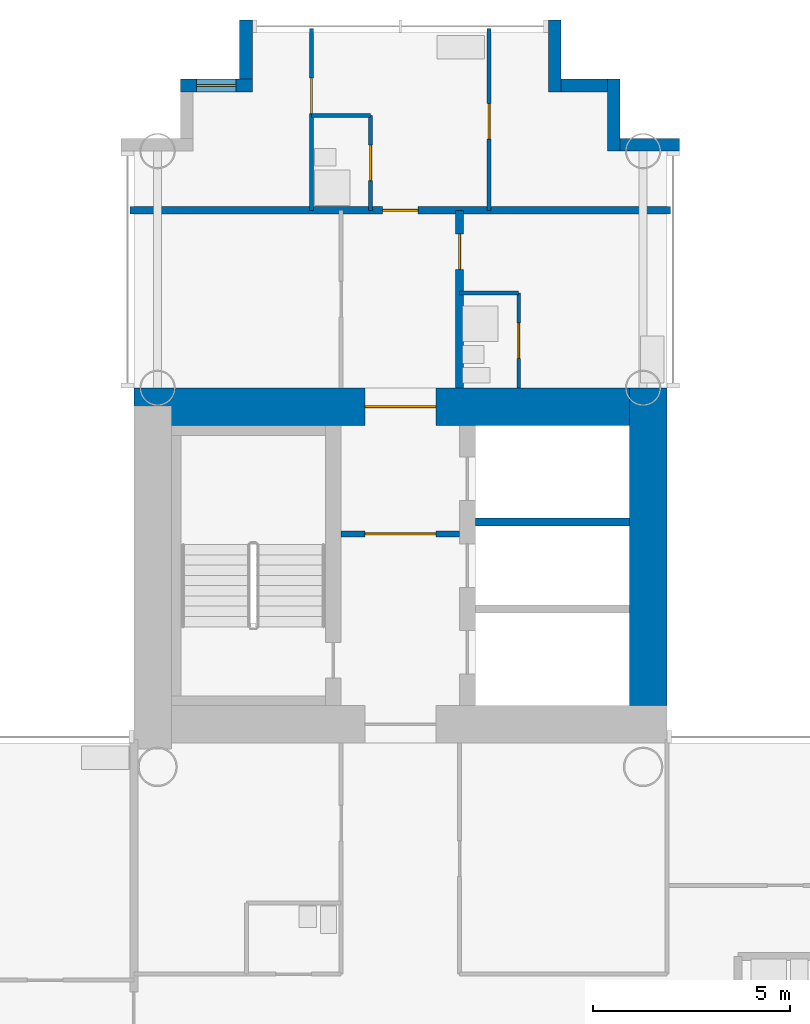
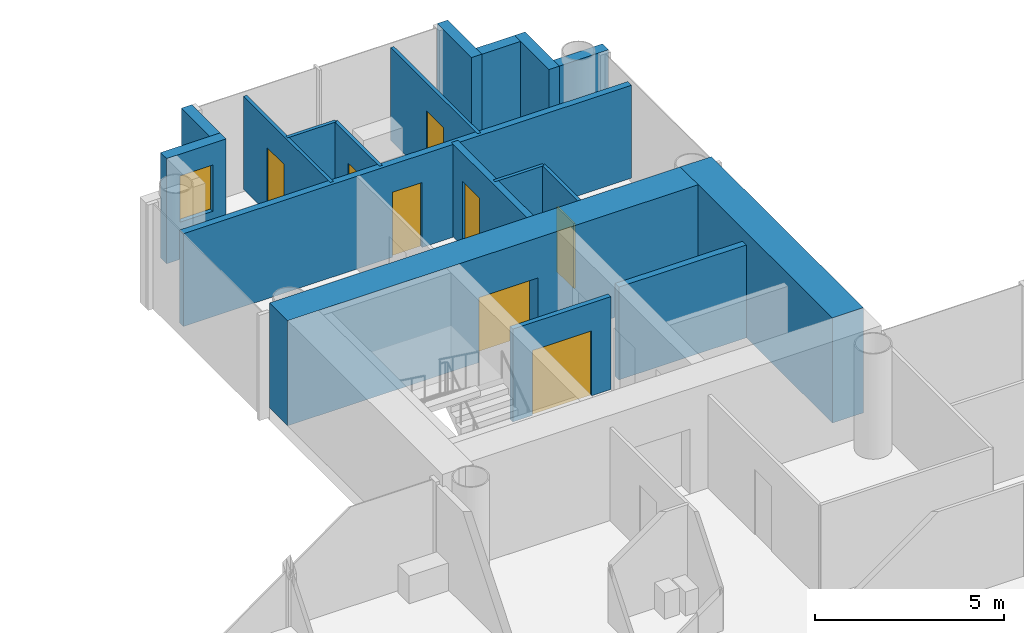
# One storey, part 15 of 22: 18 walls, 8 doors, 1 window, 9 openings.
"""IFC4 building model written with IfcOpenShell, lengths in metres."""

from ifc_helpers import new_model, si_unit, direction, frame, frame_2d, origin, place, context, subcontext, project, spatial, rectangle, extrude, material, layer, layer_set, type_object, element, fill, save


model = new_model("IFC4")

# Units and contexts
model_context = context("Model", 3, precision=1e-05, world=origin(), true_north=direction((0.0, 1.0)))
body_context = subcontext(model_context, "Body", "Model", "MODEL_VIEW")
ifc_project = project(units=[si_unit("LENGTHUNIT", "METRE"), si_unit("AREAUNIT", "SQUARE_METRE"), si_unit("VOLUMEUNIT", "CUBIC_METRE"), si_unit("PLANEANGLEUNIT", "RADIAN"), si_unit("MASSUNIT", "GRAM", prefix="KILO")], contexts=[model_context])

# Site, building, storey
site_placement = place(None, origin())
site = spatial("IfcSite", under=ifc_project, at=site_placement, CompositionType="ELEMENT")
building_placement = place(site_placement, origin())
building = spatial("IfcBuilding", under=site, at=building_placement, Name="Ipe Terrace Towers", CompositionType="ELEMENT")
storey_placement = place(building_placement, frame((0.0, 0.0, 110.60009765625)))
storey = spatial("IfcBuildingStorey", under=building, at=storey_placement, Name="L30", CompositionType="ELEMENT", Elevation=110.60009765625)

# Walls
ifc_material_1 = material(Name="Concrete C40/50 with buff precast cladding", Category="concrete")
ifc_layer_1 = layer(ifc_material_1, 0.320068359375)
ifc_layer_set_1 = layer_set([ifc_layer_1], Name="BUFF CLADDING WALL 320")
wall_type_1 = type_object("IfcWallType", Name="BUFF CLADDING WALL 320", PredefinedType="STANDARD", material=ifc_layer_set_1)
wall_1_placement = place(storey_placement, frame((43.070068359375, 21.909912109375, -0.300048828125), z_axis=(0.0, 0.0, 1.0), x_axis=(-1.0, 0.0, 0.0)))
element("IfcWall", 1, at=wall_1_placement, inside=storey, type_object=wall_type_1, Name="T2-W-L30-17a wall", PredefinedType="STANDARD", context=body_context, shape_type="SweptSolid", body=[
    extrude(rectangle(XDim=1.5, YDim=0.320068359375, at=frame_2d((0.75, 0.0))), origin(), (0.0, 0.0, 1.0), 3.39990234375),
])
wall_2_placement = place(storey_placement, frame((41.409912109375, 21.75, -0.300048828125), z_axis=(0.0, 0.0, 1.0), x_axis=(0.0, 1.0, 0.0)))
element("IfcWall", 2, at=wall_2_placement, inside=storey, type_object=wall_type_1, Name="T2-W-L30-18a wall", PredefinedType="STANDARD", context=body_context, shape_type="SweptSolid", body=[
    extrude(rectangle(XDim=1.820068359375, YDim=0.320068359375, at=frame_2d((0.91015625, 0.0))), origin(), (0.0, 0.0, 1.0), 3.39990234375),
])
wall_3_placement = place(storey_placement, frame((41.25, 23.409912109375, -0.300048828125), z_axis=(0.0, 0.0, 1.0), x_axis=(-1.0, 0.0, 0.0)))
element("IfcWall", 3, at=wall_3_placement, inside=storey, type_object=wall_type_1, Name="T2-W-L30-19a wall", PredefinedType="STANDARD", context=body_context, shape_type="SweptSolid", body=[
    extrude(rectangle(XDim=1.179931640625, YDim=0.320068359375, at=frame_2d((0.58984375, 0.0))), origin(), (0.0, 0.0, 1.0), 3.39990234375),
])
wall_4_placement = place(storey_placement, frame((39.909912109375, 23.25, -0.300048828125), z_axis=(0.0, 0.0, 1.0), x_axis=(0.0, 1.0, 0.0)))
element("IfcWall", 4, at=wall_4_placement, inside=storey, type_object=wall_type_1, Name="T2-W-L30-20a wall", PredefinedType="STANDARD", context=body_context, shape_type="SweptSolid", body=[
    extrude(rectangle(XDim=1.820068359375, YDim=0.320068359375, at=frame_2d((0.91015625, 0.0))), origin(), (0.0, 0.0, 1.0), 3.39990234375),
])
wall_5_placement = place(storey_placement, frame((32.090087890625, 25.070068359375, -0.300048828125), z_axis=(0.0, 0.0, 1.0), x_axis=(0.0, -1.0, 0.0)))
element("IfcWall", 5, at=wall_5_placement, inside=storey, type_object=wall_type_1, Name="T2-W-L30-22a wall", PredefinedType="STANDARD", context=body_context, shape_type="SweptSolid", body=[
    extrude(rectangle(XDim=1.5, YDim=0.320068359375, at=frame_2d((0.75, 0.0))), origin(), (0.0, 0.0, 1.0), 3.39990234375),
])

# Wall, opening, window
wall_6_placement = place(storey_placement, frame((32.25, 23.409912109375, -0.300048828125), z_axis=(0.0, 0.0, 1.0), x_axis=(-1.0, 0.0, 0.0)))
wall_6 = element("IfcWall", 6, at=wall_6_placement, inside=storey, type_object=wall_type_1, Name="T2-W-L30-23a wall", PredefinedType="STANDARD", context=body_context, shape_type="SweptSolid", body=[
    extrude(rectangle(XDim=1.820068359375, YDim=0.320068359375, at=frame_2d((0.91015625, 0.0))), origin(), (0.0, 0.0, 1.0), 3.39990234375),
])
opening_1_placement = place(wall_6_placement, frame((0.409912109375, 0.0, 1.199951171875)))
opening_1 = element("IfcOpeningElement", 7, at=opening_1_placement, cuts=wall_6, Name="Opening T2-W-05-L30-03", PredefinedType="OPENING", context=body_context, shape_type="SweptSolid", body=[
    extrude(rectangle(XDim=1.0, YDim=1.5, at=frame_2d((0.5, 0.75))), frame((0.0, 0.169921875, 0.0), z_axis=(0.0, -1.0, 0.0), x_axis=(1.0, 0.0, 0.0)), (0.0, 0.0, 1.0), 0.340087890625),
])
ifc_material_2 = material(Name="Glass, clear laminated", Category="glass")
window_type = type_object("IfcWindowType", Name="DWELLING WINDOW 1000 x 1500", PartitioningType="SINGLE_PANEL", PredefinedType="WINDOW", material=ifc_material_2)
window_placement = place(opening_1_placement, origin())
window = element("IfcWindow", 8, at=window_placement, inside=storey, type_object=window_type, Name="W-05 window", OverallHeight=1.5, OverallWidth=1.0, PartitioningType="SINGLE_PANEL", PredefinedType="WINDOW", context=body_context, shape_type="SweptSolid", body=[
    extrude(rectangle(XDim=1.0, YDim=1.5, at=frame_2d((0.5, 0.75))), frame((0.0, 0.030029296875, 0.0), z_axis=(0.0, -1.0, 0.0), x_axis=(1.0, 0.0, 0.0)), (0.0, 0.0, 1.0), 0.06005859375),
])
fill(opening_1, window)

# Walls
ifc_material_3 = material(Name="Gypsum board partition", Category="plasterboard")
ifc_layer_2 = layer(ifc_material_3, 0.10009765625)
ifc_layer_set_2 = layer_set([ifc_layer_2], Name="Gypsum board partition 100 mm")
wall_type_2 = type_object("IfcWallType", Name="Gypsum board partition 100 mm", PredefinedType="PARTITIONING", material=ifc_layer_set_2)
for number, where, z_axis, x_axis, name in (
    (9, (39.0, 18.14990234375, 0.0), (0.0, 0.0, 1.0), (-1.0, 0.0, 0.0), "Gypsum board partition T2 L30 W14"),
    (10, (35.25, 22.64990234375, 0.0), (0.0, 0.0, 1.0), (-1.0, 0.0, 0.0), "Gypsum board partition T2 L30 W16"),
):
    element("IfcWall", number, at=place(storey_placement, frame(where, z_axis=z_axis, x_axis=x_axis)), inside=storey, type_object=wall_type_2, Name=name, PredefinedType="PARTITIONING", context=body_context, shape_type="SweptSolid", body=[
        extrude(rectangle(XDim=1.5, YDim=0.10009765625, at=frame_2d((0.75, 0.0))), origin(), (0.0, 0.0, 1.0), 3.0),
    ])

# Wall, opening, door
wall_7_placement = place(storey_placement, frame((39.0, 15.75, 0.0), z_axis=(0.0, 0.0, 1.0), x_axis=(0.0, 1.0, 0.0)))
wall_7 = element("IfcWall", 11, at=wall_7_placement, inside=storey, type_object=wall_type_2, Name="Gypsum board partition T2 L30 W23", PredefinedType="PARTITIONING", context=body_context, shape_type="SweptSolid", body=[
    extrude(rectangle(XDim=2.39990234375, YDim=0.10009765625, at=frame_2d((1.199951171875, 0.0))), origin(), (0.0, 0.0, 1.0), 3.0),
])
opening_2_placement = place(wall_7_placement, frame((0.75, 0.0, 0.0)))
opening_2 = element("IfcOpeningElement", 12, at=opening_2_placement, cuts=wall_7, Name="Opening T2-Z2F-22", PredefinedType="OPENING", context=body_context, shape_type="SweptSolid", body=[
    extrude(rectangle(XDim=0.89990234375, YDim=2.10009765625, at=frame_2d((0.449951171875, 1.050048828125))), frame((0.0, 0.06005859375, 0.0), z_axis=(0.0, -1.0, 0.0), x_axis=(1.0, 0.0, 0.0)), (0.0, 0.0, 1.0), 0.1201171875),
])
ifc_material_4 = material(Name="Timber door leaf", Category="wood")
door_type_1 = type_object("IfcDoorType", Name="Bathroom door 900 x 2100", OperationType="NOTDEFINED", PredefinedType="DOOR", material=ifc_material_4)
door_1_placement = place(opening_2_placement, origin())
door_1 = element("IfcDoor", 13, at=door_1_placement, inside=storey, type_object=door_type_1, Name="Bathroom door T2-Z2F-22", OperationType="SINGLE_SWING_LEFT", OverallHeight=2.10009765625, OverallWidth=0.89990234375, PredefinedType="DOOR", context=body_context, shape_type="SweptSolid", body=[
    extrude(rectangle(XDim=0.89990234375, YDim=2.10009765625, at=frame_2d((0.449951171875, 1.050048828125))), frame((0.0, 0.02490234375, 0.0), z_axis=(0.0, -1.0, 0.0), x_axis=(1.0, 0.0, 0.0)), (0.0, 0.0, 1.0), 0.050048828125),
])
fill(opening_2, door_1)

wall_8_placement = place(storey_placement, frame((38.25, 20.25, 0.0), z_axis=(0.0, 0.0, 1.0), x_axis=(0.0, 1.0, 0.0)))
wall_8 = element("IfcWall", 14, at=wall_8_placement, inside=storey, type_object=wall_type_2, Name="Gypsum board partition T2 L30 W24", PredefinedType="PARTITIONING", context=body_context, shape_type="SweptSolid", body=[
    extrude(rectangle(XDim=4.60009765625, YDim=0.10009765625, at=frame_2d((2.300048828125, 0.0))), origin(), (0.0, 0.0, 1.0), 3.0),
])
opening_3_placement = place(wall_8_placement, frame((1.800048828125, 0.0, 0.0)))
opening_3 = element("IfcOpeningElement", 15, at=opening_3_placement, cuts=wall_8, Name="Opening T2-Z2F-26", PredefinedType="OPENING", context=body_context, shape_type="SweptSolid", body=[
    extrude(rectangle(XDim=0.89990234375, YDim=2.10009765625, at=frame_2d((0.449951171875, 1.050048828125))), frame((0.0, 0.06005859375, 0.0), z_axis=(0.0, -1.0, 0.0), x_axis=(1.0, 0.0, 0.0)), (0.0, 0.0, 1.0), 0.1201171875),
])
ifc_material_5 = material(Name="Timber door leaf", Category="wood")
door_type_2 = type_object("IfcDoorType", Name="Lounge door 900 x 2100", OperationType="NOTDEFINED", PredefinedType="DOOR", material=ifc_material_5)
door_2_placement = place(opening_3_placement, origin())
door_2 = element("IfcDoor", 16, at=door_2_placement, inside=storey, type_object=door_type_2, Name="Lounge door T2-Z2F-26", OperationType="SINGLE_SWING_LEFT", OverallHeight=2.10009765625, OverallWidth=0.89990234375, PredefinedType="DOOR", context=body_context, shape_type="SweptSolid", body=[
    extrude(rectangle(XDim=0.89990234375, YDim=2.10009765625, at=frame_2d((0.449951171875, 1.050048828125))), frame((0.0, 0.02490234375, 0.0), z_axis=(0.0, -1.0, 0.0), x_axis=(1.0, 0.0, 0.0)), (0.0, 0.0, 1.0), 0.050048828125),
])
fill(opening_3, door_2)

wall_9_placement = place(storey_placement, frame((35.25, 20.25, 0.0), z_axis=(0.0, 0.0, 1.0), x_axis=(0.0, 1.0, 0.0)))
wall_9 = element("IfcWall", 17, at=wall_9_placement, inside=storey, type_object=wall_type_2, Name="Gypsum board partition T2 L30 W28", PredefinedType="PARTITIONING", context=body_context, shape_type="SweptSolid", body=[
    extrude(rectangle(XDim=2.39990234375, YDim=0.10009765625, at=frame_2d((1.199951171875, 0.0))), origin(), (0.0, 0.0, 1.0), 3.0),
])
opening_4_placement = place(wall_9_placement, frame((0.75, 0.0, 0.0)))
opening_4 = element("IfcOpeningElement", 18, at=opening_4_placement, cuts=wall_9, Name="Opening T2-Z2F-23", PredefinedType="OPENING", context=body_context, shape_type="SweptSolid", body=[
    extrude(rectangle(XDim=0.89990234375, YDim=2.10009765625, at=frame_2d((0.449951171875, 1.050048828125))), frame((0.0, 0.06005859375, 0.0), z_axis=(0.0, -1.0, 0.0), x_axis=(1.0, 0.0, 0.0)), (0.0, 0.0, 1.0), 0.1201171875),
])
door_3_placement = place(opening_4_placement, origin())
door_3 = element("IfcDoor", 19, at=door_3_placement, inside=storey, type_object=door_type_1, Name="Bathroom door T2-Z2F-23", OperationType="SINGLE_SWING_LEFT", OverallHeight=2.10009765625, OverallWidth=0.89990234375, PredefinedType="DOOR", context=body_context, shape_type="SweptSolid", body=[
    extrude(rectangle(XDim=0.89990234375, YDim=2.10009765625, at=frame_2d((0.449951171875, 1.050048828125))), frame((0.0, 0.02490234375, 0.0), z_axis=(0.0, -1.0, 0.0), x_axis=(1.0, 0.0, 0.0)), (0.0, 0.0, 1.0), 0.050048828125),
])
fill(opening_4, door_3)

wall_10_placement = place(storey_placement, frame((33.75, 20.25, 0.0), z_axis=(0.0, 0.0, 1.0), x_axis=(0.0, 1.0, 0.0)))
wall_10 = element("IfcWall", 20, at=wall_10_placement, inside=storey, type_object=wall_type_2, Name="Gypsum board partition T2 L30 W32", PredefinedType="PARTITIONING", context=body_context, shape_type="SweptSolid", body=[
    extrude(rectangle(XDim=4.60009765625, YDim=0.10009765625, at=frame_2d((2.300048828125, 0.0))), origin(), (0.0, 0.0, 1.0), 3.0),
])
opening_5_placement = place(wall_10_placement, frame((2.449951171875, 0.0, 0.0)))
opening_5 = element("IfcOpeningElement", 21, at=opening_5_placement, cuts=wall_10, Name="Opening T2-Z2F-25", PredefinedType="OPENING", context=body_context, shape_type="SweptSolid", body=[
    extrude(rectangle(XDim=0.89990234375, YDim=2.10009765625, at=frame_2d((0.449951171875, 1.050048828125))), frame((0.0, 0.06005859375, 0.0), z_axis=(0.0, -1.0, 0.0), x_axis=(1.0, 0.0, 0.0)), (0.0, 0.0, 1.0), 0.1201171875),
])
ifc_material_6 = material(Name="Timber door leaf", Category="wood")
door_type_3 = type_object("IfcDoorType", Name="Bedroom door 900 x 2100", OperationType="NOTDEFINED", PredefinedType="DOOR", material=ifc_material_6)
door_4_placement = place(opening_5_placement, origin())
door_4 = element("IfcDoor", 22, at=door_4_placement, inside=storey, type_object=door_type_3, Name="Bedroom door T2-Z2F-25", OperationType="SINGLE_SWING_LEFT", OverallHeight=2.10009765625, OverallWidth=0.89990234375, PredefinedType="DOOR", context=body_context, shape_type="SweptSolid", body=[
    extrude(rectangle(XDim=0.89990234375, YDim=2.10009765625, at=frame_2d((0.449951171875, 1.050048828125))), frame((0.0, 0.02490234375, 0.0), z_axis=(0.0, -1.0, 0.0), x_axis=(1.0, 0.0, 0.0)), (0.0, 0.0, 1.0), 0.050048828125),
])
fill(opening_5, door_4)

ifc_material_7 = material(Name="Gypsum board partition", Category="plasterboard")
ifc_layer_3 = layer(ifc_material_7, 0.14990234375)
ifc_layer_set_3 = layer_set([ifc_layer_3], Name="Gypsum board partition 150 mm")
wall_type_3 = type_object("IfcWallType", Name="Gypsum board partition 150 mm", PredefinedType="PARTITIONING", material=ifc_layer_set_3)
wall_11_placement = place(storey_placement, frame((37.5, 12.050048828125, 0.0), z_axis=(0.0, 0.0, 1.0), x_axis=(-1.0, 0.0, 0.0)))
wall_11 = element("IfcWall", 23, at=wall_11_placement, inside=storey, type_object=wall_type_3, Name="Gypsum board partition T2 L30 t2c1-lobby-wall", PredefinedType="PARTITIONING", context=body_context, shape_type="SweptSolid", body=[
    extrude(rectangle(XDim=3.0, YDim=0.14990234375, at=frame_2d((1.5, 0.0))), origin(), (0.0, 0.0, 1.0), 3.0),
])
opening_6_placement = place(wall_11_placement, frame((0.60009765625, 0.0, 0.0)))
opening_6 = element("IfcOpeningElement", 24, at=opening_6_placement, cuts=wall_11, Name="Opening T2C1-VD", PredefinedType="OPENING", context=body_context, shape_type="SweptSolid", body=[
    extrude(rectangle(XDim=1.800048828125, YDim=2.10009765625, at=frame_2d((0.89990234375, 1.050048828125))), frame((0.0, 0.0849609375, 0.0), z_axis=(0.0, -1.0, 0.0), x_axis=(1.0, 0.0, 0.0)), (0.0, 0.0, 1.0), 0.169921875),
])
ifc_material_8 = material(Name="Fire-rated timber door leaf", Category="wood")
door_type_4 = type_object("IfcDoorType", Name="Lobby door 1800 x 2100 FD60", OperationType="NOTDEFINED", PredefinedType="DOOR", material=ifc_material_8)
door_5_placement = place(opening_6_placement, origin())
door_5 = element("IfcDoor", 25, at=door_5_placement, inside=storey, type_object=door_type_4, Name="Lobby door T2C1-VD", OperationType="SINGLE_SWING_LEFT", OverallHeight=2.10009765625, OverallWidth=1.800048828125, PredefinedType="DOOR", context=body_context, shape_type="SweptSolid", body=[
    extrude(rectangle(XDim=1.800048828125, YDim=2.10009765625, at=frame_2d((0.89990234375, 1.050048828125))), frame((0.0, 0.02490234375, 0.0), z_axis=(0.0, -1.0, 0.0), x_axis=(1.0, 0.0, 0.0)), (0.0, 0.0, 1.0), 0.050048828125),
])
fill(opening_6, door_5)

# Wall
ifc_material_9 = material(Name="Gypsum board party wall", Category="plasterboard")
ifc_layer_4 = layer(ifc_material_9, 0.199951171875)
ifc_layer_set_4 = layer_set([ifc_layer_4], Name="Gypsum board party wall 200 mm")
wall_type_4 = type_object("IfcWallType", Name="Gypsum board party wall 200 mm", PredefinedType="SOLIDWALL", material=ifc_layer_set_4)
wall_12_placement = place(storey_placement, frame((41.800048828125, 12.35009765625, 0.0), z_axis=(0.0, 0.0, 1.0), x_axis=(-1.0, 0.0, 0.0)))
element("IfcWall", 26, at=wall_12_placement, inside=storey, type_object=wall_type_4, Name="Gypsum board party wall T2 L30 t2c1-shaft-div2", PredefinedType="SOLIDWALL", context=body_context, shape_type="SweptSolid", body=[
    extrude(rectangle(XDim=3.900146484375, YDim=0.199951171875, at=frame_2d((1.9501953125, 0.0))), origin(), (0.0, 0.0, 1.0), 3.0),
])

# Wall, opening, door
wall_13_placement = place(storey_placement, frame((42.85009765625, 20.25, 0.0), z_axis=(0.0, 0.0, 1.0), x_axis=(-1.0, 0.0, 0.0)))
wall_13 = element("IfcWall", 27, at=wall_13_placement, inside=storey, type_object=wall_type_4, Name="Gypsum board party wall T2 L30 W15", PredefinedType="SOLIDWALL", context=body_context, shape_type="SweptSolid", body=[
    extrude(rectangle(XDim=13.7001953125, YDim=0.199951171875, at=frame_2d((6.85009765625, 0.0))), origin(), (0.0, 0.0, 1.0), 3.0),
])
opening_7_placement = place(wall_13_placement, frame((6.39990234375, 0.0, 0.0)))
opening_7 = element("IfcOpeningElement", 28, at=opening_7_placement, cuts=wall_13, Name="Opening T2-Z2F-24", PredefinedType="OPENING", context=body_context, shape_type="SweptSolid", body=[
    extrude(rectangle(XDim=0.89990234375, YDim=2.10009765625, at=frame_2d((0.449951171875, 1.050048828125))), frame((0.0, 0.10986328125, 0.0), z_axis=(0.0, -1.0, 0.0), x_axis=(1.0, 0.0, 0.0)), (0.0, 0.0, 1.0), 0.219970703125),
])
ifc_material_10 = material(Name="Fire-rated timber door leaf", Category="wood")
door_type_5 = type_object("IfcDoorType", Name="Flat entrance door 900 x 2100 FD30S", OperationType="NOTDEFINED", PredefinedType="DOOR", material=ifc_material_10)
door_6_placement = place(opening_7_placement, origin())
door_6 = element("IfcDoor", 29, at=door_6_placement, inside=storey, type_object=door_type_5, Name="Flat entrance door T2-Z2F-24", OperationType="SINGLE_SWING_RIGHT", OverallHeight=2.10009765625, OverallWidth=0.89990234375, PredefinedType="DOOR", context=body_context, shape_type="SweptSolid", body=[
    extrude(rectangle(XDim=0.89990234375, YDim=2.10009765625, at=frame_2d((0.449951171875, 1.050048828125))), frame((0.0, 0.02490234375, 0.0), z_axis=(0.0, -1.0, 0.0), x_axis=(1.0, 0.0, 0.0)), (0.0, 0.0, 1.0), 0.050048828125),
])
fill(opening_7, door_6)

wall_14_placement = place(storey_placement, frame((37.5, 15.75, 0.0), z_axis=(0.0, 0.0, 1.0), x_axis=(0.0, 1.0, 0.0)))
wall_14 = element("IfcWall", 30, at=wall_14_placement, inside=storey, type_object=wall_type_4, Name="Gypsum board party wall T2 L30 W27", PredefinedType="SOLIDWALL", context=body_context, shape_type="SweptSolid", body=[
    extrude(rectangle(XDim=4.5, YDim=0.199951171875, at=frame_2d((2.25, 0.0))), origin(), (0.0, 0.0, 1.0), 3.0),
])
opening_8_placement = place(wall_14_placement, frame((3.0, 0.0, 0.0)))
opening_8 = element("IfcOpeningElement", 31, at=opening_8_placement, cuts=wall_14, Name="Opening T2-Z2F-21", PredefinedType="OPENING", context=body_context, shape_type="SweptSolid", body=[
    extrude(rectangle(XDim=0.89990234375, YDim=2.10009765625, at=frame_2d((0.449951171875, 1.050048828125))), frame((0.0, 0.10986328125, 0.0), z_axis=(0.0, -1.0, 0.0), x_axis=(1.0, 0.0, 0.0)), (0.0, 0.0, 1.0), 0.219970703125),
])
door_7_placement = place(opening_8_placement, origin())
door_7 = element("IfcDoor", 32, at=door_7_placement, inside=storey, type_object=door_type_5, Name="Flat entrance door T2-Z2F-21", OperationType="SINGLE_SWING_RIGHT", OverallHeight=2.10009765625, OverallWidth=0.89990234375, PredefinedType="DOOR", context=body_context, shape_type="SweptSolid", body=[
    extrude(rectangle(XDim=0.89990234375, YDim=2.10009765625, at=frame_2d((0.449951171875, 1.050048828125))), frame((0.0, 0.02490234375, 0.0), z_axis=(0.0, -1.0, 0.0), x_axis=(1.0, 0.0, 0.0)), (0.0, 0.0, 1.0), 0.050048828125),
])
fill(opening_8, door_7)

# Wall
ifc_material_11 = material(Name="Concrete C50/60", Category="concrete")
ifc_layer_5 = layer(ifc_material_11, 0.949951171875)
ifc_layer_set_5 = layer_set([ifc_layer_5], Name="RW950 CORE WALL 950 C50-60")
wall_type_5 = type_object("IfcWallType", Name="RW950 CORE WALL 950 C50-60", PredefinedType="SHEAR", material=ifc_layer_set_5)
wall_15_placement = place(storey_placement, frame((42.27490234375, 7.699951171875, 0.0), z_axis=(0.0, 0.0, 1.0), x_axis=(0.0, 1.0, 0.0)))
element("IfcWall", 33, at=wall_15_placement, inside=storey, type_object=wall_type_5, Name="Core wall T2-C1-Z2-W02", PredefinedType="SHEAR", context=body_context, shape_type="SweptSolid", body=[
    extrude(rectangle(XDim=8.050048828125, YDim=0.949951171875, at=frame_2d((4.02490234375, 0.0))), origin(), (0.0, 0.0, 1.0), 3.39990234375),
])

# Wall, opening, door
wall_16_placement = place(storey_placement, frame((41.800048828125, 15.27490234375, 0.0), z_axis=(0.0, 0.0, 1.0), x_axis=(-1.0, 0.0, 0.0)))
wall_16 = element("IfcWall", 34, at=wall_16_placement, inside=storey, type_object=wall_type_5, Name="Core wall T2-C1-Z2-W03", PredefinedType="SHEAR", context=body_context, shape_type="SweptSolid", body=[
    extrude(rectangle(XDim=12.550048828125, YDim=0.949951171875, at=frame_2d((6.27490234375, 0.0))), origin(), (0.0, 0.0, 1.0), 3.39990234375),
])
opening_9_placement = place(wall_16_placement, frame((4.89990234375, 0.0, 0.0)))
opening_9 = element("IfcOpeningElement", 35, at=opening_9_placement, cuts=wall_16, Name="Opening T2C1-FD", PredefinedType="OPENING", context=body_context, shape_type="SweptSolid", body=[
    extrude(rectangle(XDim=1.800048828125, YDim=2.10009765625, at=frame_2d((0.89990234375, 1.050048828125))), frame((0.0, 0.48486328125, 0.0), z_axis=(0.0, -1.0, 0.0), x_axis=(1.0, 0.0, 0.0)), (0.0, 0.0, 1.0), 0.969970703125),
])
ifc_material_12 = material(Name="Fire-rated timber door leaf", Category="wood")
door_type_6 = type_object("IfcDoorType", Name="Fire door 1800 x 2100 FD30S", OperationType="NOTDEFINED", PredefinedType="DOOR", material=ifc_material_12)
door_8_placement = place(opening_9_placement, origin())
door_8 = element("IfcDoor", 36, at=door_8_placement, inside=storey, type_object=door_type_6, Name="Fire door T2C1-FD", OperationType="SINGLE_SWING_LEFT", OverallHeight=2.10009765625, OverallWidth=1.800048828125, PredefinedType="DOOR", context=body_context, shape_type="SweptSolid", body=[
    extrude(rectangle(XDim=1.800048828125, YDim=2.10009765625, at=frame_2d((0.89990234375, 1.050048828125))), frame((0.0, 0.02490234375, 0.0), z_axis=(0.0, -1.0, 0.0), x_axis=(1.0, 0.0, 0.0)), (0.0, 0.0, 1.0), 0.050048828125),
])
fill(opening_9, door_8)

save(model, "model.ifc")
